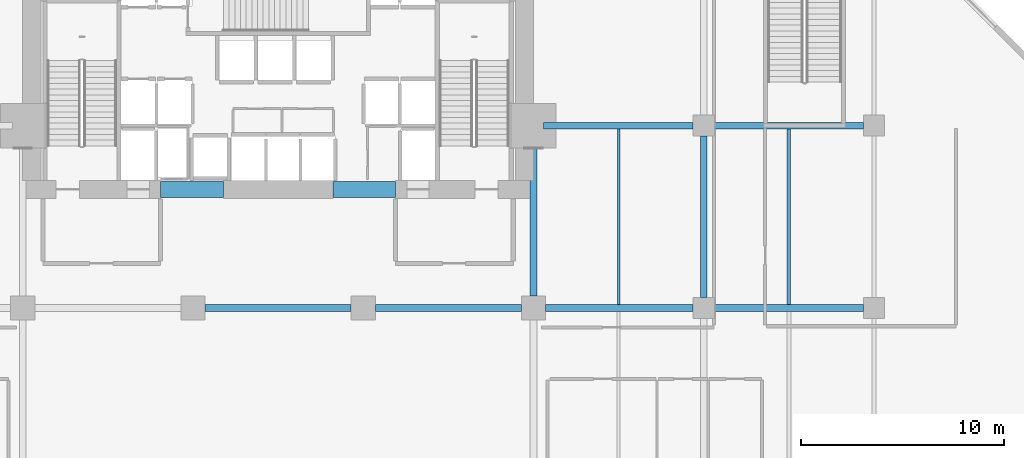
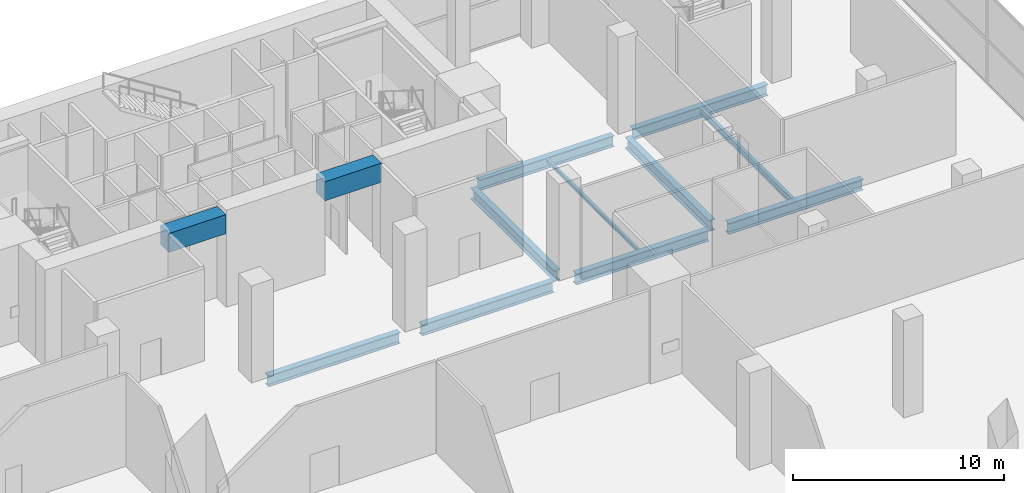
# One storey, part 22 of 40: 12 beams.
"""IFC4 building model written with IfcOpenShell, lengths in metres."""

from ifc_helpers import new_model, si_unit, direction, frame, origin, origin_2d, place, context, subcontext, project, spatial, rectangle, i_section, extrude, material, material_profile, profile_set, type_object, element, save


model = new_model("IFC4")

# Units and contexts
model_context = context("Model", 3, precision=1e-05, world=origin(), true_north=direction((0.0, 1.0)))
body_context = subcontext(model_context, "Body", "Model", "MODEL_VIEW")
ifc_project = project(units=[si_unit("LENGTHUNIT", "METRE"), si_unit("AREAUNIT", "SQUARE_METRE"), si_unit("VOLUMEUNIT", "CUBIC_METRE"), si_unit("PLANEANGLEUNIT", "RADIAN"), si_unit("MASSUNIT", "GRAM", prefix="KILO")], contexts=[model_context])

# Site, building, storey
site_placement = place(None, origin())
site = spatial("IfcSite", under=ifc_project, at=site_placement, CompositionType="ELEMENT")
building_placement = place(site_placement, origin())
building = spatial("IfcBuilding", under=site, at=building_placement, Name="Maruvema Waterfront Hotel and Observation Tower", CompositionType="ELEMENT")
storey_placement = place(building_placement, frame((0.0, 0.0, 10.85009765625)))
storey = spatial("IfcBuildingStorey", under=building, at=storey_placement, Name="L02", CompositionType="ELEMENT", Elevation=10.85009765625)

# Beams
ifc_material_1 = material(Name="Concrete C60/75", Category="concrete")
ifc_material_profile_1 = material_profile(ifc_material_1, rectangle(XDim=0.800048828125, YDim=1.10009765625, at=origin_2d()), Name="CB800x1100")
ifc_profile_set_1 = profile_set([ifc_material_profile_1], Name="Concrete C60/75")
beam_type_1 = type_object("IfcBeamType", Name="Core Coupling Lintel Beam CB800x1100", PredefinedType="LINTEL", material=ifc_profile_set_1)
for number, where, z_axis, x_axis, name in (
    (1, (32.0, 41.85009765625, 4.77001953125), (1.0, 0.0, 0.0), (0.0, 1.0, 0.0), "L02 Core Coupling Lintel Beam West"),
    (2, (40.5, 41.85009765625, 4.77001953125), (1.0, 0.0, 0.0), (0.0, 1.0, 0.0), "L02 Core Coupling Lintel Beam East"),
):
    element("IfcBeam", number, at=place(storey_placement, frame(where, z_axis=z_axis, x_axis=x_axis)), inside=storey, type_object=beam_type_1, Name=name, PredefinedType="LINTEL", context=body_context, shape_type="SweptSolid", body=[
        extrude(rectangle(XDim=0.800048828125, YDim=1.10009765625, at=origin_2d()), origin(), (0.0, 0.0, 1.0), 3.10009765625),
    ])
ifc_material_2 = material(Name="Steel ASTM A572 Grade 50", Category="steel")
ifc_material_profile_2 = material_profile(ifc_material_2, i_section(OverallWidth=0.3291015625, OverallDepth=0.635009765625, WebThickness=0.017822265625, FlangeThickness=0.031005859375, FilletRadius=0.01806640625, at=origin_2d()), Name="W610x241.0")
ifc_profile_set_2 = profile_set([ifc_material_profile_2], Name="Steel ASTM A572 Grade 50")
beam_type_2 = type_object("IfcBeamType", Name="Primary Floor Girder W610x241.0", PredefinedType="BEAM", material=ifc_profile_set_2)
for number, where, z_axis, x_axis, name in (
    (3, (34.199951171875, 36.0, -0.59765625), (1.0, 0.0, 0.0), (0.0, 1.0, 0.0), "L02 Floor Girder EW-28"),
    (4, (42.60009765625, 36.0, -0.59765625), (1.0, 0.0, 0.0), (0.0, 1.0, 0.0), "L02 Floor Girder EW-29"),
):
    element("IfcBeam", number, at=place(storey_placement, frame(where, z_axis=z_axis, x_axis=x_axis)), inside=storey, type_object=beam_type_2, Name=name, PredefinedType="BEAM", context=body_context, shape_type="SweptSolid", body=[
        extrude(i_section(OverallWidth=0.3291015625, OverallDepth=0.635009765625, WebThickness=0.017822265625, FlangeThickness=0.031005859375, FilletRadius=0.01806640625, at=origin_2d()), origin(), (0.0, 0.0, 1.0), 7.199951171875),
    ])
beam_1_placement = place(storey_placement, frame((51.0, 36.0, -0.59765625), z_axis=(1.0, 0.0, 0.0), x_axis=(0.0, 1.0, 0.0)))
element("IfcBeam", 5, at=beam_1_placement, inside=storey, type_object=beam_type_2, Name="L02 Floor Girder EW-30", PredefinedType="BEAM", context=body_context, shape_type="SweptSolid", body=[
    extrude(i_section(OverallWidth=0.3291015625, OverallDepth=0.635009765625, WebThickness=0.017822265625, FlangeThickness=0.031005859375, FilletRadius=0.01806640625, at=origin_2d()), origin(), (0.0, 0.0, 1.0), 7.27490234375),
])
beam_2_placement = place(storey_placement, frame((59.324951171875, 36.0, -0.59765625), z_axis=(1.0, 0.0, 0.0), x_axis=(0.0, 1.0, 0.0)))
element("IfcBeam", 6, at=beam_2_placement, inside=storey, type_object=beam_type_2, Name="L02 Floor Girder EW-31", PredefinedType="BEAM", context=body_context, shape_type="SweptSolid", body=[
    extrude(i_section(OverallWidth=0.3291015625, OverallDepth=0.635009765625, WebThickness=0.017822265625, FlangeThickness=0.031005859375, FilletRadius=0.01806640625, at=origin_2d()), origin(), (0.0, 0.0, 1.0), 7.35009765625),
])
beam_3_placement = place(storey_placement, frame((50.89990234375, 45.0, -0.59765625), z_axis=(1.0, 0.0, 0.0), x_axis=(0.0, 1.0, 0.0)))
element("IfcBeam", 7, at=beam_3_placement, inside=storey, type_object=beam_type_2, Name="L02 Floor Girder EW-34", PredefinedType="BEAM", context=body_context, shape_type="SweptSolid", body=[
    extrude(i_section(OverallWidth=0.3291015625, OverallDepth=0.635009765625, WebThickness=0.017822265625, FlangeThickness=0.031005859375, FilletRadius=0.01806640625, at=origin_2d()), origin(), (0.0, 0.0, 1.0), 7.375),
])
beam_4_placement = place(storey_placement, frame((59.324951171875, 45.0, -0.59765625), z_axis=(1.0, 0.0, 0.0), x_axis=(0.0, 1.0, 0.0)))
element("IfcBeam", 8, at=beam_4_placement, inside=storey, type_object=beam_type_2, Name="L02 Floor Girder EW-35", PredefinedType="BEAM", context=body_context, shape_type="SweptSolid", body=[
    extrude(i_section(OverallWidth=0.3291015625, OverallDepth=0.635009765625, WebThickness=0.017822265625, FlangeThickness=0.031005859375, FilletRadius=0.01806640625, at=origin_2d()), origin(), (0.0, 0.0, 1.0), 7.35009765625),
])
beam_5_placement = place(storey_placement, frame((50.39990234375, 36.60009765625, -0.59765625), z_axis=(0.0, 1.0, 0.0), x_axis=(-1.0, 0.0, 0.0)))
element("IfcBeam", 9, at=beam_5_placement, inside=storey, type_object=beam_type_2, Name="L02 Floor Girder NS-22", PredefinedType="BEAM", context=body_context, shape_type="SweptSolid", body=[
    extrude(i_section(OverallWidth=0.3291015625, OverallDepth=0.635009765625, WebThickness=0.017822265625, FlangeThickness=0.031005859375, FilletRadius=0.01806640625, at=origin_2d()), origin(), (0.0, 0.0, 1.0), 7.89990234375),
])
beam_6_placement = place(storey_placement, frame((58.800048828125, 36.52490234375, -0.59765625), z_axis=(0.0, 1.0, 0.0), x_axis=(-1.0, 0.0, 0.0)))
element("IfcBeam", 10, at=beam_6_placement, inside=storey, type_object=beam_type_2, Name="L02 Floor Girder NS-27", PredefinedType="BEAM", context=body_context, shape_type="SweptSolid", body=[
    extrude(i_section(OverallWidth=0.3291015625, OverallDepth=0.635009765625, WebThickness=0.017822265625, FlangeThickness=0.031005859375, FilletRadius=0.01806640625, at=origin_2d()), origin(), (0.0, 0.0, 1.0), 7.9501953125),
])
ifc_material_3 = material(Name="Steel ASTM A572 Grade 50", Category="steel")
ifc_material_profile_3 = material_profile(ifc_material_3, i_section(OverallWidth=0.133056640625, OverallDepth=0.20703125, WebThickness=0.005859375, FlangeThickness=0.00830078125, FilletRadius=0.010009765625, at=origin_2d()), Name="W200x26.6")
ifc_profile_set_3 = profile_set([ifc_material_profile_3], Name="Steel ASTM A572 Grade 50")
beam_type_3 = type_object("IfcBeamType", Name="Secondary Floor Joist W200x26.6", PredefinedType="JOIST", material=ifc_profile_set_3)
beam_7_placement = place(storey_placement, frame((54.60009765625, 36.16455078125, -0.383544921875), z_axis=(0.0, 1.0, 0.0), x_axis=(-1.0, 0.0, 0.0)))
element("IfcBeam", 11, at=beam_7_placement, inside=storey, type_object=beam_type_3, Name="L02 Secondary Floor Joist JS-16", PredefinedType="JOIST", context=body_context, shape_type="SweptSolid", body=[
    extrude(i_section(OverallWidth=0.133056640625, OverallDepth=0.20703125, WebThickness=0.005859375, FlangeThickness=0.00830078125, FilletRadius=0.010009765625, at=origin_2d()), origin(), (0.0, 0.0, 1.0), 8.6708984375),
])
ifc_material_4 = material(Name="Steel ASTM A572 Grade 50", Category="steel")
ifc_material_profile_4 = material_profile(ifc_material_4, i_section(OverallWidth=0.1708984375, OverallDepth=0.35498046875, WebThickness=0.007080078125, FlangeThickness=0.01171875, FilletRadius=0.014892578125, at=origin_2d()), Name="W360x51.0")
ifc_profile_set_4 = profile_set([ifc_material_profile_4], Name="Steel ASTM A572 Grade 50")
beam_type_4 = type_object("IfcBeamType", Name="Secondary Floor Joist W360x51.0", PredefinedType="JOIST", material=ifc_profile_set_4)
beam_8_placement = place(storey_placement, frame((63.0, 36.16455078125, -0.45751953125), z_axis=(0.0, 1.0, 0.0), x_axis=(-1.0, 0.0, 0.0)))
element("IfcBeam", 12, at=beam_8_placement, inside=storey, type_object=beam_type_4, Name="L02 Secondary Floor Joist JS-20", PredefinedType="JOIST", context=body_context, shape_type="SweptSolid", body=[
    extrude(i_section(OverallWidth=0.1708984375, OverallDepth=0.35498046875, WebThickness=0.007080078125, FlangeThickness=0.01171875, FilletRadius=0.014892578125, at=origin_2d()), origin(), (0.0, 0.0, 1.0), 8.6708984375),
])

save(model, "model.ifc")
